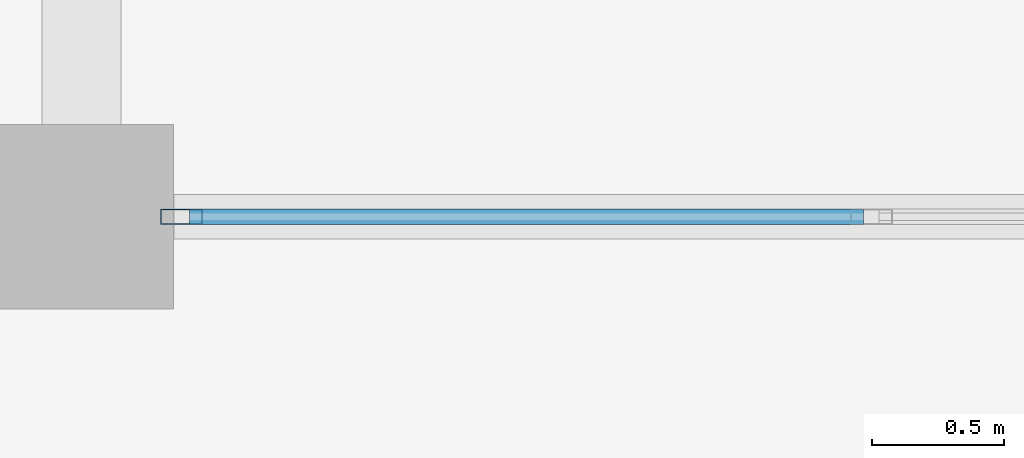
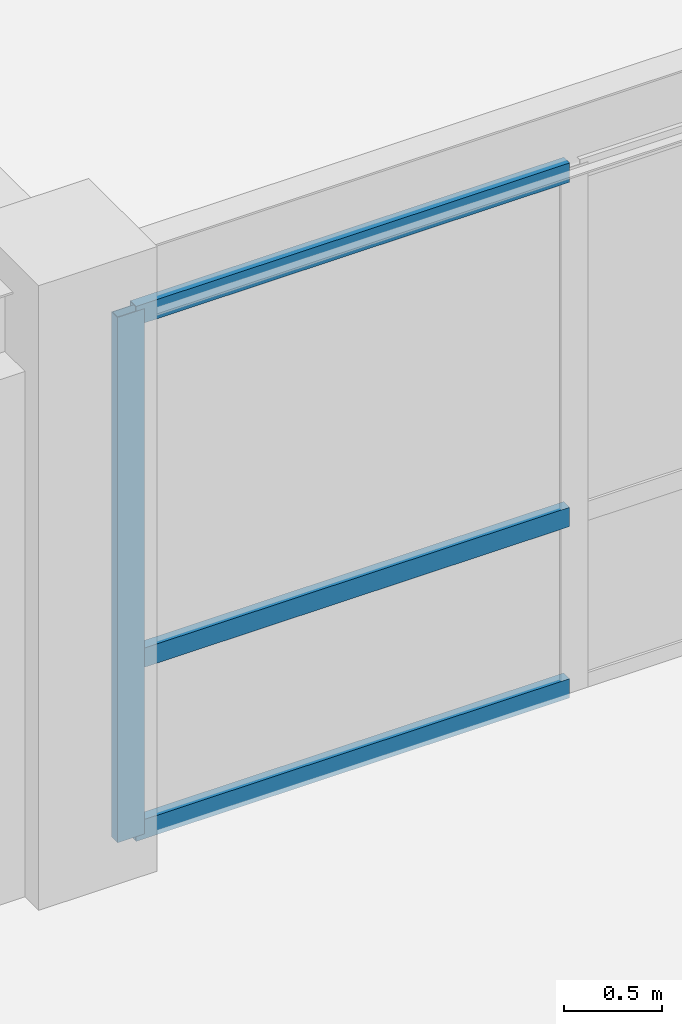
# One storey, part 11 of 25: 4 members, 1 element without a shape of its own.
"""IFC4 building model written with IfcOpenShell, lengths in metres."""

from ifc_helpers import new_model, si_unit, direction, frame, origin, origin_2d, place, context, subcontext, project, spatial, hollow_rectangle, extrude, material, layer, layer_set, material_profile, profile_set, type_object, element, aggregate, save


model = new_model("IFC4")

# Units and contexts
model_context = context("Model", 3, precision=1e-05, world=origin(), true_north=direction((0.0, 1.0)))
body_context = subcontext(model_context, "Body", "Model", "MODEL_VIEW")
ifc_project = project(units=[si_unit("LENGTHUNIT", "METRE"), si_unit("AREAUNIT", "SQUARE_METRE"), si_unit("VOLUMEUNIT", "CUBIC_METRE"), si_unit("PLANEANGLEUNIT", "RADIAN"), si_unit("MASSUNIT", "GRAM", prefix="KILO")], contexts=[model_context])

# Site, building, storey
site_placement = place(None, origin())
site = spatial("IfcSite", under=ifc_project, at=site_placement, CompositionType="ELEMENT")
building_placement = place(site_placement, origin())
building = spatial("IfcBuilding", under=site, at=building_placement, Name="Zlatovratsky Civic Hall", CompositionType="ELEMENT")
storey_placement = place(building_placement, frame((0.0, 0.0, 21.0)))
storey = spatial("IfcBuildingStorey", under=building, at=storey_placement, Name="L05", CompositionType="ELEMENT", Elevation=21.0)

# Curtain wall, members
ifc_material = material(Name="Anodised bronze aluminium", Category="aluminium")
ifc_layer = layer(ifc_material, 0.159912109375)
ifc_layer_set = layer_set([ifc_layer], Name="Anodised bronze aluminium")
curtain_wall_type = type_object("IfcCurtainWallType", Name="CurtainWall_Bronze_5300x3280_20", PredefinedType="NOTDEFINED", material=ifc_layer_set)
curtain_wall_placement = place(storey_placement, origin())
curtain_wall = element("IfcCurtainWall", 1, at=curtain_wall_placement, inside=storey, type_object=curtain_wall_type, Name="CW-129", PredefinedType="NOTDEFINED")
ifc_material_profile_1 = material_profile(ifc_material, hollow_rectangle(XDim=0.06005859375, YDim=0.159912109375, WallThickness=0.00390625, at=origin_2d()), Name="ALU 60x160x4")
ifc_profile_set_1 = profile_set([ifc_material_profile_1], Name="Anodised bronze aluminium")
member_type_1 = type_object("IfcMemberType", Name="CW_Mullion_60x160", PredefinedType="MULLION", material=ifc_profile_set_1)
member_1_placement = place(storey_placement, frame((78.3798828125, 72.0, 0.0), z_axis=(0.0, 0.0, 1.0), x_axis=(0.0, 1.0, 0.0)))
member_1 = element("IfcMember", 2, at=member_1_placement, type_object=member_type_1, Name="CW-20 mullion 1", PredefinedType="MULLION", context=body_context, shape_type="SweptSolid", body=[
    extrude(hollow_rectangle(XDim=0.06005859375, YDim=0.159912109375, WallThickness=0.00390625, at=origin_2d()), origin(), (0.0, 0.0, 1.0), 3.280029296875),
])
ifc_material_profile_2 = material_profile(ifc_material, hollow_rectangle(XDim=0.06005859375, YDim=0.1201171875, WallThickness=0.00390625, at=origin_2d()), Name="ALU 60x120x4")
ifc_profile_set_2 = profile_set([ifc_material_profile_2], Name="Anodised bronze aluminium")
member_type_2 = type_object("IfcMemberType", Name="CW_Transom_60x120", PredefinedType="USERDEFINED", material=ifc_profile_set_2)
member_2_placement = place(storey_placement, frame((78.409912109375, 72.0, 0.030029296875), z_axis=(1.0, 0.0, 0.0), x_axis=(0.0, 1.0, 0.0)))
member_2 = element("IfcMember", 3, at=member_2_placement, type_object=member_type_2, Name="CW-20 transom 1.1", ObjectType="TRANSOM", PredefinedType="USERDEFINED", context=body_context, shape_type="SweptSolid", body=[
    extrude(hollow_rectangle(XDim=0.06005859375, YDim=0.1201171875, WallThickness=0.00390625, at=origin_2d()), origin(), (0.0, 0.0, 1.0), 2.56005859375),
])
member_3_placement = place(storey_placement, frame((78.409912109375, 72.0, 1.10009765625), z_axis=(1.0, 0.0, 0.0), x_axis=(0.0, 1.0, 0.0)))
member_3 = element("IfcMember", 4, at=member_3_placement, type_object=member_type_2, Name="CW-20 transom 1.2", ObjectType="TRANSOM", PredefinedType="USERDEFINED", context=body_context, shape_type="SweptSolid", body=[
    extrude(hollow_rectangle(XDim=0.06005859375, YDim=0.1201171875, WallThickness=0.00390625, at=origin_2d()), origin(), (0.0, 0.0, 1.0), 2.56005859375),
])
member_4_placement = place(storey_placement, frame((78.409912109375, 72.0, 3.25), z_axis=(1.0, 0.0, 0.0), x_axis=(0.0, 1.0, 0.0)))
member_4 = element("IfcMember", 5, at=member_4_placement, type_object=member_type_2, Name="CW-20 transom 1.3", ObjectType="TRANSOM", PredefinedType="USERDEFINED", context=body_context, shape_type="SweptSolid", body=[
    extrude(hollow_rectangle(XDim=0.06005859375, YDim=0.1201171875, WallThickness=0.00390625, at=origin_2d()), origin(), (0.0, 0.0, 1.0), 2.56005859375),
])
aggregate(curtain_wall, [member_1, member_2, member_3, member_4])

save(model, "model.ifc")
